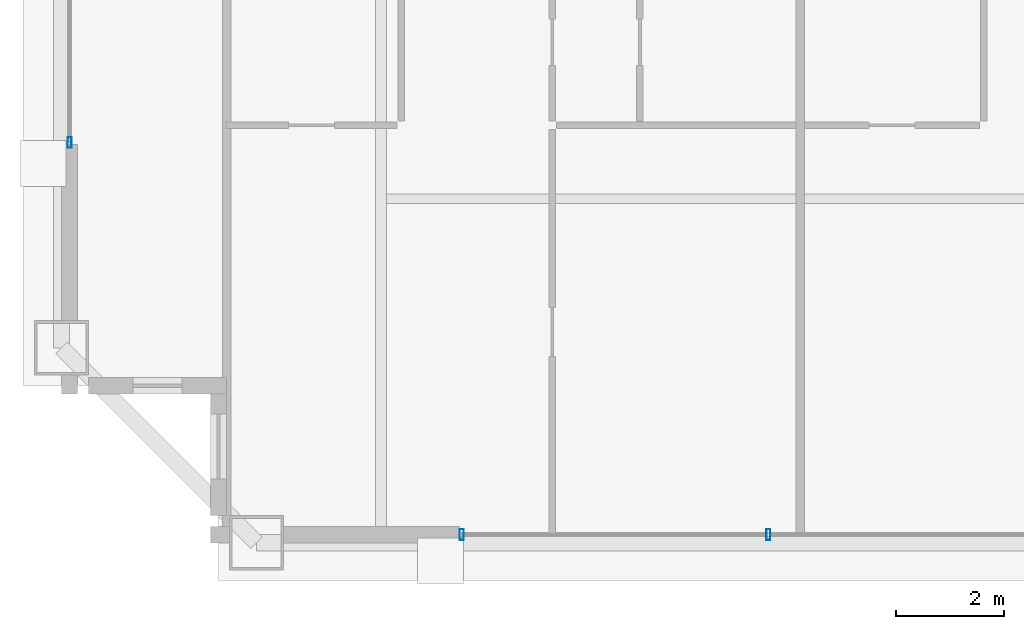
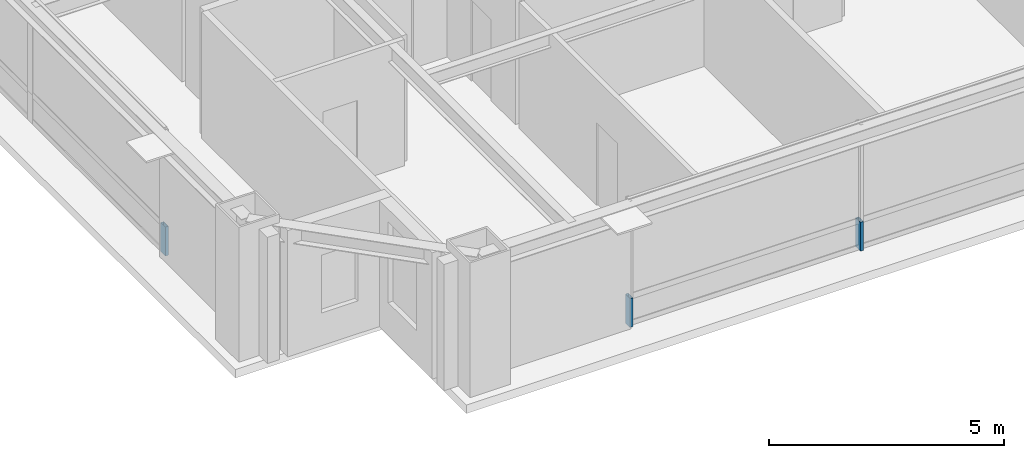
# One storey, part 21 of 35: 3 members, 2 elements without a shape of their own.
"""IFC4 building model written with IfcOpenShell, lengths in metres."""

import ifcopenshell
import ifcopenshell.guid

model = None  # the IFC model being written
_history = None  # IfcOwnerHistory: only IFC2X3 demands one
_inside = {}  # id of a spatial element -> (the spatial element, [elements in it])
_under = {}  # id of a project, library or spatial element -> (it, [spatial elements below it])
_declared = {}  # id of a project -> (the project, [libraries it declares])
_typed = {}  # id of a type object -> (the type object, [elements of that type])
_made_of = {}  # id of a material, layer set ... -> (it, [elements and type objects made of it])


def new_model(schema):
    """Start an empty IFC model of exactly this schema.

    Asked for "IFC4X3", IfcOpenShell would pick the latest addendum, in which some entities
    have other attributes; the version numbers below select the first issue.
    IFC2X3 requires an IfcOwnerHistory on every rooted entity: one is made here for all.
    """
    global model, _history
    if schema == "IFC4X3":
        model = ifcopenshell.file(schema_version=(4, 3, 0, 0))
    else:
        model = ifcopenshell.file(schema=schema)
    _inside.clear()
    _under.clear()
    _declared.clear()
    _typed.clear()
    _made_of.clear()
    _history = None
    if model.schema == "IFC2X3":
        org = make("IfcOrganization", Name="unknown")
        user = make(
            "IfcPersonAndOrganization",
            ThePerson=make("IfcPerson", FamilyName="unknown"),
            TheOrganization=org,
        )
        app = make(
            "IfcApplication",
            ApplicationDeveloper=org,
            Version="unknown",
            ApplicationFullName="unknown",
            ApplicationIdentifier="unknown",
        )
        _history = make(
            "IfcOwnerHistory",
            OwningUser=user,
            OwningApplication=app,
            ChangeAction="ADDED",
            CreationDate=0,
        )
    return model


def make(cls, **values):
    """One entity of the class cls with the attributes given. An attribute that is None is left unset."""
    return model.create_entity(
        cls, **{name: value for name, value in values.items() if value is not None}
    )


def rooted(cls, **values):
    """An entity with a GlobalId (a new one), such as an element, a storey or a relation."""
    return make(cls, GlobalId=ifcopenshell.guid.new(), OwnerHistory=_history, **values)


def si_unit(unit_type, name, prefix=None):
    """IfcSIUnit, for example si_unit("LENGTHUNIT", "METRE", prefix="MILLI")."""
    return make("IfcSIUnit", UnitType=unit_type, Prefix=prefix, Name=name)


def assignment(units):
    """IfcUnitAssignment: the units of a project."""
    return None if units is None else make("IfcUnitAssignment", Units=units)


def point(xyz):
    """IfcCartesianPoint."""
    return None if xyz is None else make("IfcCartesianPoint", Coordinates=xyz)


def direction(xyz):
    """IfcDirection."""
    return None if xyz is None else make("IfcDirection", DirectionRatios=xyz)


def frame(location, z_axis=None, x_axis=None):
    """IfcAxis2Placement3D, a coordinate frame: its origin and axes. An axis left out is left unset."""
    return make(
        "IfcAxis2Placement3D",
        Location=point(location),
        Axis=direction(z_axis),
        RefDirection=direction(x_axis),
    )


def frame_2d(location, x_axis=None):
    """IfcAxis2Placement2D, a coordinate frame in the plane: its origin and x axis."""
    return make(
        "IfcAxis2Placement2D", Location=point(location), RefDirection=direction(x_axis)
    )


def origin():
    """The frame at (0, 0, 0) with its axes left unset."""
    return frame((0.0, 0.0, 0.0))


def origin_2d():
    """The frame at (0, 0) in the plane with its x axis left unset."""
    return frame_2d((0.0, 0.0))


def place(relative_to, where):
    """IfcLocalPlacement: puts the frame where relative to a parent placement (None: the world)."""
    return make(
        "IfcLocalPlacement", PlacementRelTo=relative_to, RelativePlacement=where
    )


def context(
    kind, dimensions, precision=None, world=None, true_north=None, identifier=None
):
    """IfcGeometricRepresentationContext, for example the 3D "Model" context."""
    return make(
        "IfcGeometricRepresentationContext",
        ContextIdentifier=identifier,
        ContextType=kind,
        CoordinateSpaceDimension=dimensions,
        Precision=precision,
        WorldCoordinateSystem=world,
        TrueNorth=true_north,
    )


def subcontext(parent, identifier, kind, view, scale=None):
    """IfcGeometricRepresentationSubContext, for example "Body" below "Model"."""
    return make(
        "IfcGeometricRepresentationSubContext",
        ContextIdentifier=identifier,
        ContextType=kind,
        ParentContext=parent,
        TargetScale=scale,
        TargetView=view,
    )


def project(units=None, contexts=None):
    """IfcProject with its units and contexts."""
    return rooted(
        "IfcProject",
        Name="project",
        RepresentationContexts=contexts,
        UnitsInContext=assignment(units),
    )


def spatial(cls, under=None, at=None, **own):
    """A site, building, storey or space (cls), placed at a placement, below another one or the project."""
    s = rooted(cls, ObjectPlacement=at, **own)
    if under is not None:
        _under.setdefault(under.id(), (under, []))[1].append(s)
    return s


def profile(cls, at=None, kind="AREA", **sizes):
    """A parametric profile (cls). Its sizes go by their IFC names, for example OverallWidth=200.0."""
    return make(cls, ProfileType=kind, Position=at, **sizes)


def hollow_rectangle(**sizes):
    """IfcRectangleHollowProfileDef."""
    return profile("IfcRectangleHollowProfileDef", **sizes)


def extrude(swept, where, along, depth):
    """IfcExtrudedAreaSolid: the profile swept, set in the frame where, extruded along a direction by depth."""
    return make(
        "IfcExtrudedAreaSolid",
        SweptArea=swept,
        Position=where,
        ExtrudedDirection=direction(along),
        Depth=depth,
    )


def shape(context_of_items, identifier, shape_type, items):
    """IfcShapeRepresentation: the items that make up one representation, for example the "Body"."""
    return make(
        "IfcShapeRepresentation",
        ContextOfItems=context_of_items,
        RepresentationIdentifier=identifier,
        RepresentationType=shape_type,
        Items=items,
    )


def source(mapping_origin, context_of_items, identifier, shape_type, items):
    """IfcRepresentationMap: a shape defined once, which mapped items show again and again."""
    return make(
        "IfcRepresentationMap",
        MappingOrigin=mapping_origin,
        MappedRepresentation=shape(context_of_items, identifier, shape_type, items),
    )


def transform(
    local_origin,
    x_axis=None,
    y_axis=None,
    z_axis=None,
    scale=None,
    scale2=None,
    scale3=None,
    uniform=True,
):
    """IfcCartesianTransformationOperator3D, or its non-uniform kind. x_axis, y_axis, z_axis: its Axis1, 2, 3."""
    if uniform:
        return make(
            "IfcCartesianTransformationOperator3D",
            Axis1=direction(x_axis),
            Axis2=direction(y_axis),
            LocalOrigin=point(local_origin),
            Scale=scale,
            Axis3=direction(z_axis),
        )
    return make(
        "IfcCartesianTransformationOperator3DnonUniform",
        Axis1=direction(x_axis),
        Axis2=direction(y_axis),
        LocalOrigin=point(local_origin),
        Scale=scale,
        Axis3=direction(z_axis),
        Scale2=scale2,
        Scale3=scale3,
    )


def mapped(mapping_source, mapping_target):
    """IfcMappedItem: shows the shape of a source again, moved by a transform."""
    return make(
        "IfcMappedItem", MappingSource=mapping_source, MappingTarget=mapping_target
    )


def material(Name=None, Category=None):
    """IfcMaterial."""
    return make("IfcMaterial", Name=Name, Category=Category)


def layer(
    of_material, thickness, ventilated=None, Name=None, Category=None, Priority=None
):
    """IfcMaterialLayer: one layer of a wall or slab, of a material (None: an air gap)."""
    return make(
        "IfcMaterialLayer",
        Material=of_material,
        LayerThickness=thickness,
        IsVentilated=ventilated,
        Name=Name,
        Category=Category,
        Priority=Priority,
    )


def layer_set(layers, Name=None):
    """IfcMaterialLayerSet."""
    return make("IfcMaterialLayerSet", MaterialLayers=layers, LayerSetName=Name)


def material_profile(
    of_material, cross_section, Name=None, Category=None, Priority=None
):
    """IfcMaterialProfile: a cross section and its material."""
    return make(
        "IfcMaterialProfile",
        Name=Name,
        Material=of_material,
        Profile=cross_section,
        Priority=Priority,
        Category=Category,
    )


def profile_set(profiles, Name=None, composite=None):
    """IfcMaterialProfileSet."""
    return make(
        "IfcMaterialProfileSet",
        Name=Name,
        MaterialProfiles=profiles,
        CompositeProfile=composite,
    )


def made_of(thing, what):
    """Note that an element or type object is made of a material, layer set ...; save() writes the relation."""
    if what is not None:
        _made_of.setdefault(what.id(), (what, []))[1].append(thing)
    return thing


def type_object(cls, material=None, **own):
    """A type object (cls), such as IfcWallType, which elements share."""
    return made_of(rooted(cls, **own), material)


def element(
    cls,
    number,
    at=None,
    inside=None,
    cuts=None,
    type_object=None,
    material=None,
    context=None,
    identifier="Body",
    shape_type=None,
    held_by="IfcProductDefinitionShape",
    body=None,
    shapes=None,
    **own,
):
    """One element of the class cls, such as IfcWall. Its Tag is "e" and its number.

    at: its placement. inside: the storey or other place that contains it. cuts: it is an
    opening in that element (IfcRelVoidsElement). A single representation is given by context,
    identifier, shape_type and body (its items); several are given by shapes. held_by: the class
    of the entity that holds the representations. save() writes the other relations.
    """
    e = rooted(cls, Tag="e%d" % number, ObjectPlacement=at, **own)
    if body is not None:
        shapes = [shape(context, identifier, shape_type, body)]
    if shapes is not None:
        e.Representation = make(held_by, Representations=shapes)
    if inside is not None:
        _inside.setdefault(inside.id(), (inside, []))[1].append(e)
    if cuts is not None:
        rooted(
            "IfcRelVoidsElement", RelatingBuildingElement=cuts, RelatedOpeningElement=e
        )
    if type_object is not None:
        _typed.setdefault(type_object.id(), (type_object, []))[1].append(e)
    return made_of(e, material)


def aggregate(whole, parts):
    """IfcRelAggregates: a whole, such as a stair, and the parts it consists of."""
    return rooted("IfcRelAggregates", RelatingObject=whole, RelatedObjects=parts)


def save(model, path):
    """Write the relations noted so far, then the file.

    IfcRelAggregates (storeys below a building ...), IfcRelContainedInSpatialStructure (elements
    in a storey), IfcRelDefinesByType, IfcRelAssociatesMaterial and IfcRelDeclares: one each for
    every whole, place, type object, material and project.
    """
    for whole, parts in _under.values():
        aggregate(whole, parts)
    for where, things in _inside.values():
        rooted(
            "IfcRelContainedInSpatialStructure",
            RelatedElements=things,
            RelatingStructure=where,
        )
    for kind, things in _typed.values():
        rooted("IfcRelDefinesByType", RelatedObjects=things, RelatingType=kind)
    for what, things in _made_of.values():
        rooted("IfcRelAssociatesMaterial", RelatedObjects=things, RelatingMaterial=what)
    for by, libraries in _declared.values():
        rooted("IfcRelDeclares", RelatingContext=by, RelatedDefinitions=libraries)
    model.write(path)


model = new_model("IFC4")

# Units and contexts
model_context = context("Model", 3, precision=1e-05, world=origin(), true_north=direction((0.0, 1.0)))
body_context = subcontext(model_context, "Body", "Model", "MODEL_VIEW")
ifc_project = project(units=[si_unit("LENGTHUNIT", "METRE"), si_unit("AREAUNIT", "SQUARE_METRE"), si_unit("VOLUMEUNIT", "CUBIC_METRE"), si_unit("PLANEANGLEUNIT", "RADIAN"), si_unit("MASSUNIT", "GRAM", prefix="KILO"), si_unit("THERMODYNAMICTEMPERATUREUNIT", "KELVIN"), si_unit("POWERUNIT", "WATT")], contexts=[model_context])

# Site, building, storey
site_placement = place(None, origin())
site = spatial("IfcSite", under=ifc_project, at=site_placement, CompositionType="ELEMENT")
building_placement = place(site_placement, origin())
building = spatial("IfcBuilding", under=site, at=building_placement, Name="Yuzanri Waterfront Tower", CompositionType="ELEMENT")
storey_placement = place(building_placement, frame((0.0, 0.0, 289.10009765625)))
storey = spatial("IfcBuildingStorey", under=building, at=storey_placement, Name="L77", CompositionType="ELEMENT", Elevation=289.10009765625)

# Curtain wall, members
ifc_material_1 = material(Name="Anodized Architectural Bronze", Category="metal")
ifc_layer = layer(ifc_material_1, 0.159912109375)
ifc_layer_set = layer_set([ifc_layer], Name="Anodized Architectural Bronze")
curtain_wall_type = type_object("IfcCurtainWallType", Name="Anodized Bronze High-Rise Penthouse High-Wind Unitized Curtain Wall 6900", PredefinedType="NOTDEFINED", material=ifc_layer_set)
curtain_wall_1_placement = place(storey_placement, origin())
curtain_wall_1 = element("IfcCurtainWall", 1, at=curtain_wall_1_placement, inside=storey, type_object=curtain_wall_type, Name="L77 Curtain Wall CW-L77-SL", PredefinedType="NOTDEFINED")
ifc_material_2 = material(Name="Anodized Architectural Bronze", Category="metal")
ifc_material_profile = material_profile(ifc_material_2, hollow_rectangle(XDim=0.074951171875, YDim=0.199951171875, WallThickness=0.00390625, at=origin_2d()), Name="CWM 75x200")
ifc_profile_set = profile_set([ifc_material_profile], Name="Anodized Architectural Bronze")
member_type = type_object("IfcMemberType", Name="Anodized Bronze Primary Curtain-Wall Mullion 75x200", PredefinedType="MULLION", material=ifc_profile_set)
shared_shape = source(origin(), body_context, "Body", "SweptSolid", [
    extrude(hollow_rectangle(XDim=0.074951171875, YDim=0.199951171875, WallThickness=0.00390625, at=origin_2d()), origin(), (0.0, 0.0, 1.0), 0.751953125),
])
member_1_placement = place(storey_placement, frame((25.2900390625, 6.85009765625, 0.0), z_axis=(0.0, 0.0, 1.0), x_axis=(1.0, 0.0, 0.0)))
member_1 = element("IfcMember", 2, at=member_1_placement, type_object=member_type, Name="CW-L77-SL Lower Mullion 00", PredefinedType="MULLION", context=body_context, shape_type="MappedRepresentation", body=[
    mapped(shared_shape, transform((0.0, 0.0, 0.0), scale=1.0)),
])
member_2_placement = place(storey_placement, frame((30.949951171875, 6.85009765625, 0.0), z_axis=(0.0, 0.0, 1.0), x_axis=(1.0, 0.0, 0.0)))
member_2 = element("IfcMember", 3, at=member_2_placement, type_object=member_type, Name="CW-L77-SL Lower Mullion 01", PredefinedType="MULLION", context=body_context, shape_type="MappedRepresentation", body=[
    mapped(shared_shape, transform((0.0, 0.0, 0.0), scale=1.0)),
])
aggregate(curtain_wall_1, [member_1, member_2])

# Curtain wall, member
curtain_wall_2_placement = place(storey_placement, origin())
curtain_wall_2 = element("IfcCurtainWall", 4, at=curtain_wall_2_placement, inside=storey, type_object=curtain_wall_type, Name="L77 Curtain Wall CW-L77-WL", PredefinedType="NOTDEFINED")
member_3_placement = place(storey_placement, frame((18.050048828125, 14.090087890625, 0.0), z_axis=(0.0, 0.0, 1.0), x_axis=(1.0, 0.0, 0.0)))
member_3 = element("IfcMember", 5, at=member_3_placement, type_object=member_type, Name="CW-L77-WL Lower Mullion 00", PredefinedType="MULLION", context=body_context, shape_type="MappedRepresentation", body=[
    mapped(shared_shape, transform((0.0, 0.0, 0.0), scale=1.0)),
])
aggregate(curtain_wall_2, [member_3])

save(model, "model.ifc")
